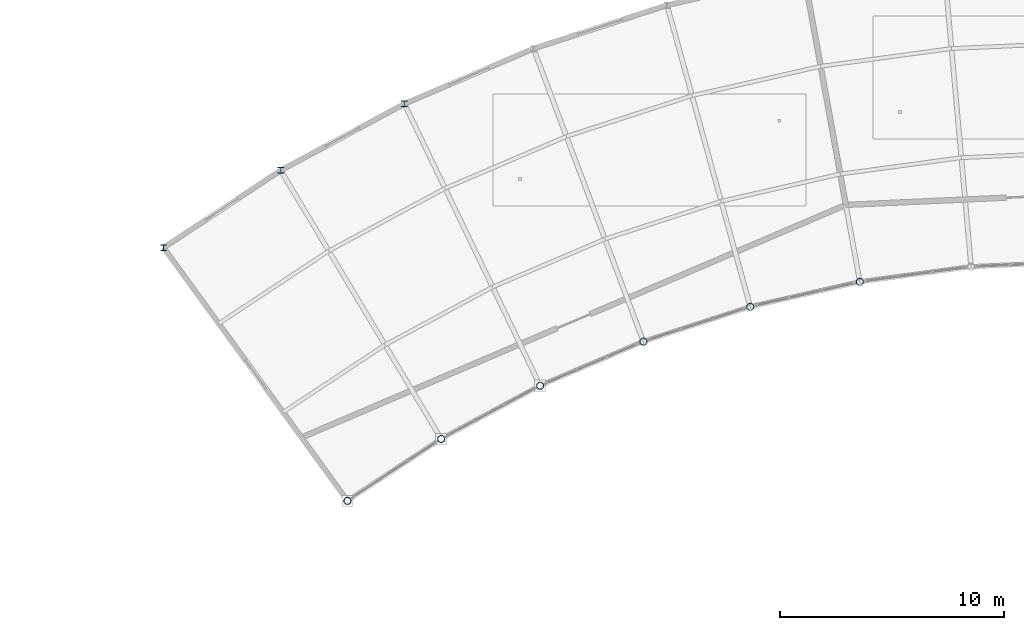
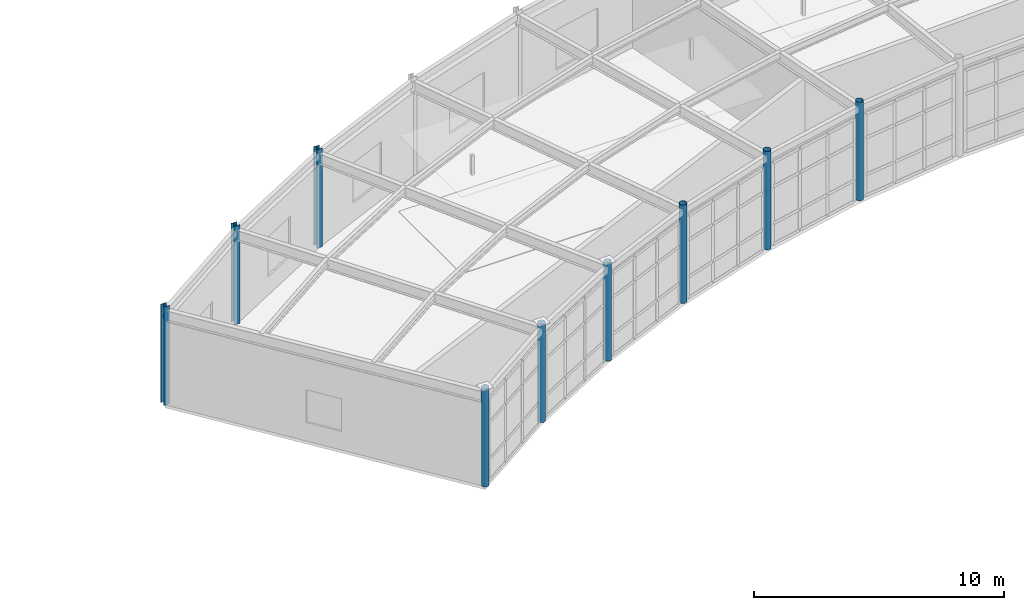
# One storey, part 10 of 105: 9 columns.
"""IFC4 building model written with IfcOpenShell, lengths in metres."""

from ifc_helpers import new_model, si_unit, direction, frame, origin, origin_2d, place, context, subcontext, project, spatial, hollow_circle, i_section, extrude, material, material_profile, profile_set, type_object, element, save


model = new_model("IFC4")

# Units and contexts
model_context = context("Model", 3, precision=1e-05, world=origin(), true_north=direction((0.0, 1.0)))
body_context = subcontext(model_context, "Body", "Model", "MODEL_VIEW")
ifc_project = project(units=[si_unit("LENGTHUNIT", "METRE"), si_unit("AREAUNIT", "SQUARE_METRE"), si_unit("VOLUMEUNIT", "CUBIC_METRE"), si_unit("PLANEANGLEUNIT", "RADIAN"), si_unit("MASSUNIT", "GRAM", prefix="KILO")], contexts=[model_context])

# Site, building, storey
site_placement = place(None, origin())
site = spatial("IfcSite", under=ifc_project, at=site_placement, CompositionType="ELEMENT")
building_placement = place(site_placement, origin())
building = spatial("IfcBuilding", under=site, at=building_placement, Name="Selat Folded Stagehouse", CompositionType="ELEMENT")
storey_placement = place(building_placement, frame((0.0, 0.0, 10.199951171875)))
storey = spatial("IfcBuildingStorey", under=building, at=storey_placement, Name="L02", CompositionType="ELEMENT", Elevation=10.199951171875)

# Columns
ifc_material = material(Name="Steel S355", Category="steel")
ifc_material_profile_1 = material_profile(ifc_material, hollow_circle(Radius=0.161865234375, WallThickness=0.012451171875, at=origin_2d()), Name="CHS 323.9x12.5")
ifc_profile_set_1 = profile_set([ifc_material_profile_1], Name="Steel S355")
column_type_1 = type_object("IfcColumnType", Name="COL-CHS-323x12.5", PredefinedType="COLUMN", material=ifc_profile_set_1)
for number, where, z_axis, x_axis, name in (
    (1, (59.48388671875, 83.304931640625, 0.0), (0.0, 0.0, 1.0), (1.0, 0.0, 0.0), "L02 column STK-V6IN-00"),
    (2, (63.677490234375, 86.072998046875, 0.0), (0.0, 0.0, 1.0), (1.0, 0.0, 0.0), "L02 column STK-V6IN-01"),
    (3, (68.1025390625, 88.454345703125, 0.0), (0.0, 0.0, 1.0), (1.0, 0.0, 0.0), "L02 column STK-V6IN-02"),
    (4, (72.722900390625, 90.42919921875, 0.0), (0.0, 0.0, 1.0), (1.0, 0.0, 0.0), "L02 column STK-V6IN-03"),
    (5, (77.501953125, 91.98193359375, 0.0), (0.0, 0.0, 1.0), (1.0, 0.0, 0.0), "L02 column STK-V6IN-04"),
    (6, (82.40087890625, 93.10009765625, 0.0), (0.0, 0.0, 1.0), (1.0, 0.0, 0.0), "L02 column STK-V6IN-05"),
):
    element("IfcColumn", number, at=place(storey_placement, frame(where, z_axis=z_axis, x_axis=x_axis)), inside=storey, type_object=column_type_1, Name=name, PredefinedType="COLUMN", context=body_context, shape_type="SweptSolid", body=[
        extrude(hollow_circle(Radius=0.161865234375, WallThickness=0.012451171875, at=origin_2d()), origin(), (0.0, 0.0, 1.0), 4.800048828125),
    ])
ifc_material_profile_2 = material_profile(ifc_material, i_section(OverallWidth=0.2587890625, OverallDepth=0.2666015625, WebThickness=0.0126953125, FlangeThickness=0.0205078125, FilletRadius=0.0126953125, at=origin_2d()), Name="UKC 254x254x107")
ifc_profile_set_2 = profile_set([ifc_material_profile_2], Name="Steel S355")
column_type_2 = type_object("IfcColumnType", Name="COL-UKC-254x254x107", PredefinedType="COLUMN", material=ifc_profile_set_2)
for number, where, z_axis, x_axis, name in (
    (7, (51.2548828125, 94.631103515625, 0.0), (0.0, 0.0, 1.0), (1.0, 0.0, 0.0), "L02 column STK-V6OUT-00"),
    (8, (56.4970703125, 98.09130859375, 0.0), (0.0, 0.0, 1.0), (1.0, 0.0, 0.0), "L02 column STK-V6OUT-01"),
    (9, (62.028076171875, 101.06787109375, 0.0), (0.0, 0.0, 1.0), (1.0, 0.0, 0.0), "L02 column STK-V6OUT-02"),
):
    element("IfcColumn", number, at=place(storey_placement, frame(where, z_axis=z_axis, x_axis=x_axis)), inside=storey, type_object=column_type_2, Name=name, PredefinedType="COLUMN", context=body_context, shape_type="SweptSolid", body=[
        extrude(i_section(OverallWidth=0.2587890625, OverallDepth=0.2666015625, WebThickness=0.0126953125, FlangeThickness=0.0205078125, FilletRadius=0.0126953125, at=origin_2d()), origin(), (0.0, 0.0, 1.0), 4.800048828125),
    ])

save(model, "model.ifc")
